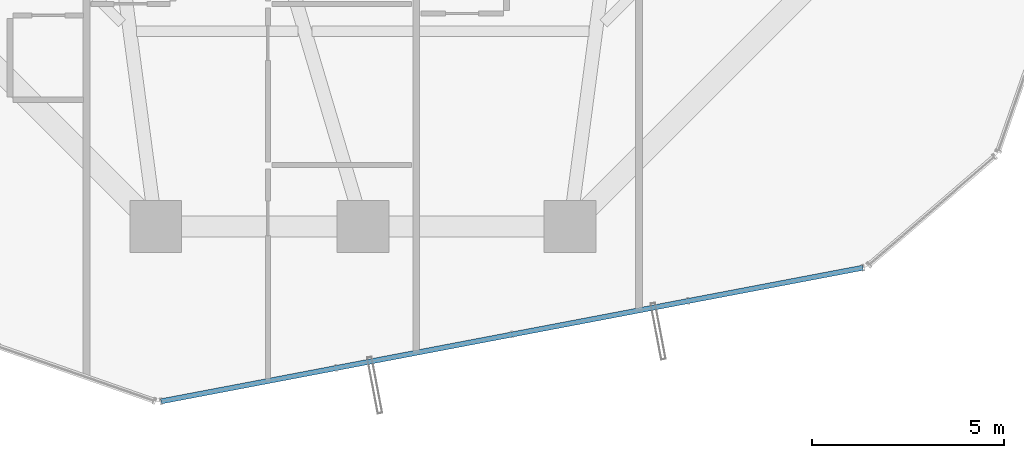
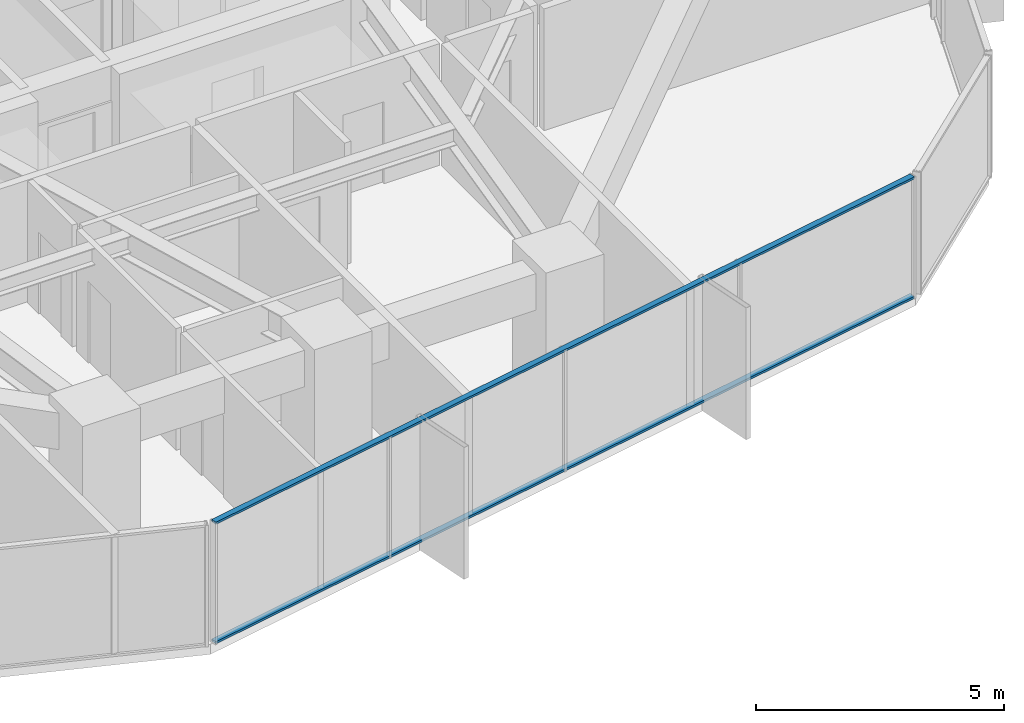
# One storey, part 7 of 38: 2 members, 1 element without a shape of its own.
"""IFC4 building model written with IfcOpenShell, lengths in metres."""

from ifc_helpers import new_model, si_unit, direction, frame, origin, origin_2d, place, context, subcontext, project, spatial, hollow_rectangle, extrude, source, transform, mapped, material, layer, layer_set, material_profile, profile_set, type_object, element, aggregate, save


model = new_model("IFC4")

# Units and contexts
model_context = context("Model", 3, precision=1e-05, world=origin(), true_north=direction((0.0, 1.0)))
body_context = subcontext(model_context, "Body", "Model", "MODEL_VIEW")
ifc_project = project(units=[si_unit("LENGTHUNIT", "METRE"), si_unit("AREAUNIT", "SQUARE_METRE"), si_unit("VOLUMEUNIT", "CUBIC_METRE"), si_unit("PLANEANGLEUNIT", "RADIAN"), si_unit("MASSUNIT", "GRAM", prefix="KILO")], contexts=[model_context])

# Site, building, storey
site_placement = place(None, origin())
site = spatial("IfcSite", under=ifc_project, at=site_placement, CompositionType="ELEMENT")
building_placement = place(site_placement, origin())
building = spatial("IfcBuilding", under=site, at=building_placement, Name="Veraguas Prism Commons", CompositionType="ELEMENT")
storey_placement = place(building_placement, frame((0.0, 0.0, 60.85009765625)))
storey = spatial("IfcBuildingStorey", under=building, at=storey_placement, Name="L16", CompositionType="ELEMENT", Elevation=60.85009765625)

# Curtain wall, members
ifc_material = material(Name="Anodised aluminium EN AW-6063 T6", Category="aluminium")
ifc_layer = layer(ifc_material, 0.169921875, Name="Unitised Flush Curtain Wall Zone 1", Category="aluminium")
ifc_layer_set = layer_set([ifc_layer], Name="Anodised aluminium EN AW-6063 T6")
curtain_wall_type = type_object("IfcCurtainWallType", Name="Unitised Flush Curtain Wall Zone 1", PredefinedType="NOTDEFINED", material=ifc_layer_set)
curtain_wall_placement = place(storey_placement, origin())
curtain_wall = element("IfcCurtainWall", 1, at=curtain_wall_placement, inside=storey, type_object=curtain_wall_type, Name="Tower Facade Curtain Wall L16-F5", PredefinedType="NOTDEFINED")
ifc_material_profile = material_profile(ifc_material, hollow_rectangle(XDim=0.054931640625, YDim=0.135009765625, WallThickness=0.0029296875, at=origin_2d()), Name="AL55X135X3")
ifc_profile_set = profile_set([ifc_material_profile], Name="Anodised aluminium EN AW-6063 T6")
member_type = type_object("IfcMemberType", Name="Curtain Wall Transom Standard AL 55x135x3", PredefinedType="USERDEFINED", material=ifc_profile_set)
shared_shape = source(origin(), body_context, "Body", "SweptSolid", [
    extrude(hollow_rectangle(XDim=0.054931640625, YDim=0.135009765625, WallThickness=0.0029296875, at=origin_2d()), origin(), (0.0, 0.0, 1.0), 18.623779296875),
])
member_1_placement = place(storey_placement, frame((18.739990234375, 1.840576171875, 0.02734375), z_axis=(0.98235233256, 0.187039821196, 0.0), x_axis=(0.0, 0.0, 1.0)))
member_1 = element("IfcMember", 2, at=member_1_placement, type_object=member_type, Name="CW-Z1 Transom 1", ObjectType="TRANSOM", PredefinedType="USERDEFINED", context=body_context, shape_type="MappedRepresentation", body=[
    mapped(shared_shape, transform((0.0, 0.0, 0.0), scale=1.0)),
])
member_2_placement = place(storey_placement, frame((18.739990234375, 1.840576171875, 2.972412109375), z_axis=(0.98235233256, 0.187039821196, 0.0), x_axis=(0.0, 0.0, 1.0)))
member_2 = element("IfcMember", 3, at=member_2_placement, type_object=member_type, Name="CW-Z1 Transom 2", ObjectType="TRANSOM", PredefinedType="USERDEFINED", context=body_context, shape_type="MappedRepresentation", body=[
    mapped(shared_shape, transform((0.0, 0.0, 0.0), scale=1.0)),
])
aggregate(curtain_wall, [member_1, member_2])

save(model, "model.ifc")
